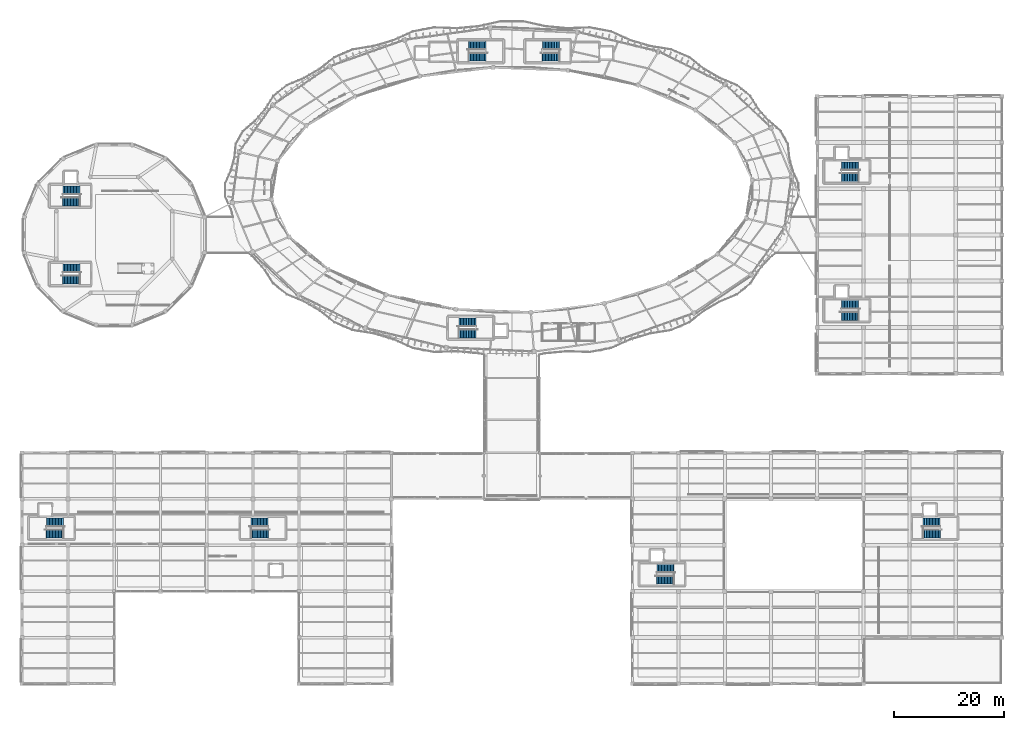
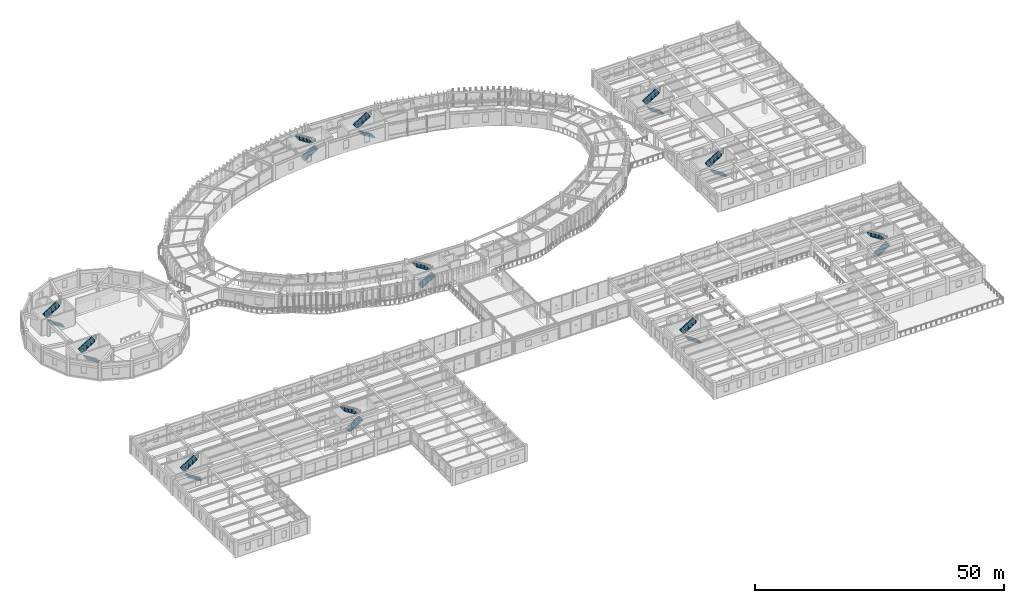
# One storey, part 130 of 152: 22 stair flights, 11 elements without a shape of their own.
"""IFC4 building model written with IfcOpenShell, lengths in metres."""

from ifc_helpers import new_model, si_unit, direction, frame, origin, place, context, subcontext, project, spatial, polyline, outline, extrude, material, type_object, element, aggregate, save


model = new_model("IFC4")

# Units and contexts
model_context = context("Model", 3, precision=1e-05, world=origin(), true_north=direction((0.0, 1.0)))
body_context = subcontext(model_context, "Body", "Model", "MODEL_VIEW")
ifc_project = project(units=[si_unit("LENGTHUNIT", "METRE"), si_unit("AREAUNIT", "SQUARE_METRE"), si_unit("VOLUMEUNIT", "CUBIC_METRE"), si_unit("PLANEANGLEUNIT", "RADIAN"), si_unit("MASSUNIT", "GRAM", prefix="KILO"), si_unit("THERMODYNAMICTEMPERATUREUNIT", "KELVIN"), si_unit("POWERUNIT", "WATT")], contexts=[model_context])

# Site, building, storey
site_placement = place(None, origin())
site = spatial("IfcSite", under=ifc_project, at=site_placement, CompositionType="ELEMENT")
building_placement = place(site_placement, origin())
building = spatial("IfcBuilding", under=site, at=building_placement, Name="Darbajah Civic Hall", CompositionType="ELEMENT")
storey_placement = place(building_placement, frame((0.0, 0.0, 5.39990234375)))
storey = spatial("IfcBuildingStorey", under=building, at=storey_placement, Name="L01", CompositionType="ELEMENT", Elevation=5.39990234375)

# Stair, stair flights
ifc_material_1 = material(Name="Concrete C45/55", Category="concrete")
stair_type = type_object("IfcStairType", Name="Half Turn Stair 1650x4200", PredefinedType="HALF_TURN_STAIR", material=ifc_material_1)
stair_1_placement = place(storey_placement, origin())
stair_1 = element("IfcStair", 1, at=stair_1_placement, inside=storey, type_object=stair_type, Name="L01 enclosed exit stair ST01", PredefinedType="HALF_TURN_STAIR")
ifc_material_2 = material(Name="Precast Concrete C45/55", Category="concrete")
stair_flight_type = type_object("IfcStairFlightType", Name="Stair Flight 12R 280G", PredefinedType="STRAIGHT", material=ifc_material_2)
stair_flight_1_placement = place(storey_placement, frame((81.280029296875, 113.965087890625, 0.0), z_axis=(0.0, 0.0, 1.0), x_axis=(1.0, 0.0, 0.0)))
stair_flight_1 = element("IfcStairFlight", 2, at=stair_flight_1_placement, type_object=stair_flight_type, Name="ST01 L01 lower flight", NumberOfRisers=12, NumberOfTreads=11, PredefinedType="STRAIGHT", RiserHeight=0.175, TreadLength=0.28, context=body_context, shape_type="SweptSolid", body=[
    extrude(outline(polyline([(0.0, 0.0), (0.0, 0.175048828125), (0.280029296875, 0.175048828125), (0.280029296875, 0.35009765625), (0.56005859375, 0.35009765625), (0.56005859375, 0.52490234375), (0.840087890625, 0.52490234375), (0.840087890625, 0.699951171875), (1.1201171875, 0.699951171875), (1.1201171875, 0.875), (1.39990234375, 0.875), (1.39990234375, 1.050048828125), (1.679931640625, 1.050048828125), (1.679931640625, 1.22509765625), (1.9599609375, 1.22509765625), (1.9599609375, 1.39990234375), (2.239990234375, 1.39990234375), (2.239990234375, 1.574951171875), (2.52001953125, 1.574951171875), (2.52001953125, 1.75), (2.800048828125, 1.75), (2.800048828125, 1.925048828125), (3.080078125, 1.925048828125), (3.080078125, 2.10009765625), (3.1201171875, 2.10009765625), (3.1201171875, 1.712890625), (0.37939453125, 0.0), (0.0, 0.0)])), frame((0.0, 0.77490234375, 0.0), z_axis=(0.0, -1.0, 0.0), x_axis=(1.0, 0.0, 0.0)), (0.0, 0.0, 1.0), 1.550048828125),
])
stair_flight_2_placement = place(storey_placement, frame((84.360107421875, 116.034912109375, 2.10009765625), z_axis=(0.0, 0.0, 1.0), x_axis=(-1.0, 0.0, 0.0)))
stair_flight_2 = element("IfcStairFlight", 3, at=stair_flight_2_placement, type_object=stair_flight_type, Name="ST01 L01 upper flight", NumberOfRisers=12, NumberOfTreads=11, PredefinedType="STRAIGHT", RiserHeight=0.175, TreadLength=0.28, context=body_context, shape_type="SweptSolid", body=[
    extrude(outline(polyline([(0.0, 0.0), (0.0, 0.175048828125), (0.280029296875, 0.175048828125), (0.280029296875, 0.35009765625), (0.56005859375, 0.35009765625), (0.56005859375, 0.52490234375), (0.840087890625, 0.52490234375), (0.840087890625, 0.699951171875), (1.1201171875, 0.699951171875), (1.1201171875, 0.875), (1.39990234375, 0.875), (1.39990234375, 1.050048828125), (1.679931640625, 1.050048828125), (1.679931640625, 1.22509765625), (1.9599609375, 1.22509765625), (1.9599609375, 1.39990234375), (2.239990234375, 1.39990234375), (2.239990234375, 1.574951171875), (2.52001953125, 1.574951171875), (2.52001953125, 1.75), (2.800048828125, 1.75), (2.800048828125, 1.925048828125), (3.080078125, 1.925048828125), (3.080078125, 2.10009765625), (3.1201171875, 2.10009765625), (3.1201171875, 1.712890625), (0.37939453125, 0.0), (0.0, 0.0)])), frame((0.0, 0.77490234375, 0.0), z_axis=(0.0, -1.0, 0.0), x_axis=(1.0, 0.0, 0.0)), (0.0, 0.0, 1.0), 1.550048828125),
])
aggregate(stair_1, [stair_flight_1, stair_flight_2])

stair_2_placement = place(storey_placement, origin())
stair_2 = element("IfcStair", 4, at=stair_2_placement, inside=storey, type_object=stair_type, Name="L01 enclosed exit stair ST02", PredefinedType="HALF_TURN_STAIR")
stair_flight_3_placement = place(storey_placement, frame((97.719970703125, 113.965087890625, 0.0), z_axis=(0.0, 0.0, 1.0), x_axis=(-1.0, 0.0, 0.0)))
stair_flight_3 = element("IfcStairFlight", 5, at=stair_flight_3_placement, type_object=stair_flight_type, Name="ST02 L01 lower flight", NumberOfRisers=12, NumberOfTreads=11, PredefinedType="STRAIGHT", RiserHeight=0.175, TreadLength=0.28, context=body_context, shape_type="SweptSolid", body=[
    extrude(outline(polyline([(0.0, 0.0), (0.0, 0.175048828125), (0.280029296875, 0.175048828125), (0.280029296875, 0.35009765625), (0.56005859375, 0.35009765625), (0.56005859375, 0.52490234375), (0.840087890625, 0.52490234375), (0.840087890625, 0.699951171875), (1.1201171875, 0.699951171875), (1.1201171875, 0.875), (1.39990234375, 0.875), (1.39990234375, 1.050048828125), (1.679931640625, 1.050048828125), (1.679931640625, 1.22509765625), (1.9599609375, 1.22509765625), (1.9599609375, 1.39990234375), (2.239990234375, 1.39990234375), (2.239990234375, 1.574951171875), (2.52001953125, 1.574951171875), (2.52001953125, 1.75), (2.800048828125, 1.75), (2.800048828125, 1.925048828125), (3.080078125, 1.925048828125), (3.080078125, 2.10009765625), (3.1201171875, 2.10009765625), (3.1201171875, 1.712890625), (0.37939453125, 0.0), (0.0, 0.0)])), frame((0.0, 0.77490234375, 0.0), z_axis=(0.0, -1.0, 0.0), x_axis=(1.0, 0.0, 0.0)), (0.0, 0.0, 1.0), 1.550048828125),
])
stair_flight_4_placement = place(storey_placement, frame((94.639892578125, 116.034912109375, 2.10009765625), z_axis=(0.0, 0.0, 1.0), x_axis=(1.0, 0.0, 0.0)))
stair_flight_4 = element("IfcStairFlight", 6, at=stair_flight_4_placement, type_object=stair_flight_type, Name="ST02 L01 upper flight", NumberOfRisers=12, NumberOfTreads=11, PredefinedType="STRAIGHT", RiserHeight=0.175, TreadLength=0.28, context=body_context, shape_type="SweptSolid", body=[
    extrude(outline(polyline([(0.0, 0.0), (0.0, 0.175048828125), (0.280029296875, 0.175048828125), (0.280029296875, 0.35009765625), (0.56005859375, 0.35009765625), (0.56005859375, 0.52490234375), (0.840087890625, 0.52490234375), (0.840087890625, 0.699951171875), (1.1201171875, 0.699951171875), (1.1201171875, 0.875), (1.39990234375, 0.875), (1.39990234375, 1.050048828125), (1.679931640625, 1.050048828125), (1.679931640625, 1.22509765625), (1.9599609375, 1.22509765625), (1.9599609375, 1.39990234375), (2.239990234375, 1.39990234375), (2.239990234375, 1.574951171875), (2.52001953125, 1.574951171875), (2.52001953125, 1.75), (2.800048828125, 1.75), (2.800048828125, 1.925048828125), (3.080078125, 1.925048828125), (3.080078125, 2.10009765625), (3.1201171875, 2.10009765625), (3.1201171875, 1.712890625), (0.37939453125, 0.0), (0.0, 0.0)])), frame((0.0, 0.77490234375, 0.0), z_axis=(0.0, -1.0, 0.0), x_axis=(1.0, 0.0, 0.0)), (0.0, 0.0, 1.0), 1.550048828125),
])
aggregate(stair_2, [stair_flight_3, stair_flight_4])

stair_3_placement = place(storey_placement, origin())
stair_3 = element("IfcStair", 7, at=stair_3_placement, inside=storey, type_object=stair_type, Name="L01 enclosed exit stair ST03", PredefinedType="HALF_TURN_STAIR")
stair_flight_5_placement = place(storey_placement, frame((79.47998046875, 63.6650390625, 0.0), z_axis=(0.0, 0.0, 1.0), x_axis=(1.0, 0.0, 0.0)))
stair_flight_5 = element("IfcStairFlight", 8, at=stair_flight_5_placement, type_object=stair_flight_type, Name="ST03 L01 lower flight", NumberOfRisers=12, NumberOfTreads=11, PredefinedType="STRAIGHT", RiserHeight=0.175, TreadLength=0.28, context=body_context, shape_type="SweptSolid", body=[
    extrude(outline(polyline([(0.0, 0.0), (0.0, 0.175048828125), (0.280029296875, 0.175048828125), (0.280029296875, 0.35009765625), (0.56005859375, 0.35009765625), (0.56005859375, 0.52490234375), (0.840087890625, 0.52490234375), (0.840087890625, 0.699951171875), (1.1201171875, 0.699951171875), (1.1201171875, 0.875), (1.39990234375, 0.875), (1.39990234375, 1.050048828125), (1.679931640625, 1.050048828125), (1.679931640625, 1.22509765625), (1.9599609375, 1.22509765625), (1.9599609375, 1.39990234375), (2.239990234375, 1.39990234375), (2.239990234375, 1.574951171875), (2.52001953125, 1.574951171875), (2.52001953125, 1.75), (2.800048828125, 1.75), (2.800048828125, 1.925048828125), (3.080078125, 1.925048828125), (3.080078125, 2.10009765625), (3.1201171875, 2.10009765625), (3.1201171875, 1.712890625), (0.37939453125, 0.0), (0.0, 0.0)])), frame((0.0, 0.77490234375, 0.0), z_axis=(0.0, -1.0, 0.0), x_axis=(1.0, 0.0, 0.0)), (0.0, 0.0, 1.0), 1.550048828125),
])
stair_flight_6_placement = place(storey_placement, frame((82.56005859375, 65.735107421875, 2.10009765625), z_axis=(0.0, 0.0, 1.0), x_axis=(-1.0, 0.0, 0.0)))
stair_flight_6 = element("IfcStairFlight", 9, at=stair_flight_6_placement, type_object=stair_flight_type, Name="ST03 L01 upper flight", NumberOfRisers=12, NumberOfTreads=11, PredefinedType="STRAIGHT", RiserHeight=0.175, TreadLength=0.28, context=body_context, shape_type="SweptSolid", body=[
    extrude(outline(polyline([(0.0, 0.0), (0.0, 0.175048828125), (0.280029296875, 0.175048828125), (0.280029296875, 0.35009765625), (0.56005859375, 0.35009765625), (0.56005859375, 0.52490234375), (0.840087890625, 0.52490234375), (0.840087890625, 0.699951171875), (1.1201171875, 0.699951171875), (1.1201171875, 0.875), (1.39990234375, 0.875), (1.39990234375, 1.050048828125), (1.679931640625, 1.050048828125), (1.679931640625, 1.22509765625), (1.9599609375, 1.22509765625), (1.9599609375, 1.39990234375), (2.239990234375, 1.39990234375), (2.239990234375, 1.574951171875), (2.52001953125, 1.574951171875), (2.52001953125, 1.75), (2.800048828125, 1.75), (2.800048828125, 1.925048828125), (3.080078125, 1.925048828125), (3.080078125, 2.10009765625), (3.1201171875, 2.10009765625), (3.1201171875, 1.712890625), (0.37939453125, 0.0), (0.0, 0.0)])), frame((0.0, 0.77490234375, 0.0), z_axis=(0.0, -1.0, 0.0), x_axis=(1.0, 0.0, 0.0)), (0.0, 0.0, 1.0), 1.550048828125),
])
aggregate(stair_3, [stair_flight_5, stair_flight_6])

stair_4_placement = place(storey_placement, origin())
stair_4 = element("IfcStair", 10, at=stair_4_placement, inside=storey, type_object=stair_type, Name="L01 enclosed exit stair ST04", PredefinedType="HALF_TURN_STAIR")
stair_flight_7_placement = place(storey_placement, frame((10.52001953125, 87.6650390625, 0.0), z_axis=(0.0, 0.0, 1.0), x_axis=(-1.0, 0.0, 0.0)))
stair_flight_7 = element("IfcStairFlight", 11, at=stair_flight_7_placement, type_object=stair_flight_type, Name="ST04 L01 lower flight", NumberOfRisers=12, NumberOfTreads=11, PredefinedType="STRAIGHT", RiserHeight=0.175, TreadLength=0.28, context=body_context, shape_type="SweptSolid", body=[
    extrude(outline(polyline([(0.0, 0.0), (0.0, 0.175048828125), (0.280029296875, 0.175048828125), (0.280029296875, 0.35009765625), (0.56005859375, 0.35009765625), (0.56005859375, 0.52490234375), (0.840087890625, 0.52490234375), (0.840087890625, 0.699951171875), (1.1201171875, 0.699951171875), (1.1201171875, 0.875), (1.39990234375, 0.875), (1.39990234375, 1.050048828125), (1.679931640625, 1.050048828125), (1.679931640625, 1.22509765625), (1.9599609375, 1.22509765625), (1.9599609375, 1.39990234375), (2.239990234375, 1.39990234375), (2.239990234375, 1.574951171875), (2.52001953125, 1.574951171875), (2.52001953125, 1.75), (2.800048828125, 1.75), (2.800048828125, 1.925048828125), (3.080078125, 1.925048828125), (3.080078125, 2.10009765625), (3.1201171875, 2.10009765625), (3.1201171875, 1.712890625), (0.37939453125, 0.0), (0.0, 0.0)])), frame((0.0, 0.77490234375, 0.0), z_axis=(0.0, -1.0, 0.0), x_axis=(1.0, 0.0, 0.0)), (0.0, 0.0, 1.0), 1.550048828125),
])
stair_flight_8_placement = place(storey_placement, frame((7.43994140625, 89.735107421875, 2.10009765625), z_axis=(0.0, 0.0, 1.0), x_axis=(1.0, 0.0, 0.0)))
stair_flight_8 = element("IfcStairFlight", 12, at=stair_flight_8_placement, type_object=stair_flight_type, Name="ST04 L01 upper flight", NumberOfRisers=12, NumberOfTreads=11, PredefinedType="STRAIGHT", RiserHeight=0.175, TreadLength=0.28, context=body_context, shape_type="SweptSolid", body=[
    extrude(outline(polyline([(0.0, 0.0), (0.0, 0.175048828125), (0.280029296875, 0.175048828125), (0.280029296875, 0.35009765625), (0.56005859375, 0.35009765625), (0.56005859375, 0.52490234375), (0.840087890625, 0.52490234375), (0.840087890625, 0.699951171875), (1.1201171875, 0.699951171875), (1.1201171875, 0.875), (1.39990234375, 0.875), (1.39990234375, 1.050048828125), (1.679931640625, 1.050048828125), (1.679931640625, 1.22509765625), (1.9599609375, 1.22509765625), (1.9599609375, 1.39990234375), (2.239990234375, 1.39990234375), (2.239990234375, 1.574951171875), (2.52001953125, 1.574951171875), (2.52001953125, 1.75), (2.800048828125, 1.75), (2.800048828125, 1.925048828125), (3.080078125, 1.925048828125), (3.080078125, 2.10009765625), (3.1201171875, 2.10009765625), (3.1201171875, 1.712890625), (0.37939453125, 0.0), (0.0, 0.0)])), frame((0.0, 0.77490234375, 0.0), z_axis=(0.0, -1.0, 0.0), x_axis=(1.0, 0.0, 0.0)), (0.0, 0.0, 1.0), 1.550048828125),
])
aggregate(stair_4, [stair_flight_7, stair_flight_8])

stair_5_placement = place(storey_placement, origin())
stair_5 = element("IfcStair", 13, at=stair_5_placement, inside=storey, type_object=stair_type, Name="L01 enclosed exit stair ST05", PredefinedType="HALF_TURN_STAIR")
stair_flight_9_placement = place(storey_placement, frame((10.52001953125, 73.465087890625, 0.0), z_axis=(0.0, 0.0, 1.0), x_axis=(-1.0, 0.0, 0.0)))
stair_flight_9 = element("IfcStairFlight", 14, at=stair_flight_9_placement, type_object=stair_flight_type, Name="ST05 L01 lower flight", NumberOfRisers=12, NumberOfTreads=11, PredefinedType="STRAIGHT", RiserHeight=0.175, TreadLength=0.28, context=body_context, shape_type="SweptSolid", body=[
    extrude(outline(polyline([(0.0, 0.0), (0.0, 0.175048828125), (0.280029296875, 0.175048828125), (0.280029296875, 0.35009765625), (0.56005859375, 0.35009765625), (0.56005859375, 0.52490234375), (0.840087890625, 0.52490234375), (0.840087890625, 0.699951171875), (1.1201171875, 0.699951171875), (1.1201171875, 0.875), (1.39990234375, 0.875), (1.39990234375, 1.050048828125), (1.679931640625, 1.050048828125), (1.679931640625, 1.22509765625), (1.9599609375, 1.22509765625), (1.9599609375, 1.39990234375), (2.239990234375, 1.39990234375), (2.239990234375, 1.574951171875), (2.52001953125, 1.574951171875), (2.52001953125, 1.75), (2.800048828125, 1.75), (2.800048828125, 1.925048828125), (3.080078125, 1.925048828125), (3.080078125, 2.10009765625), (3.1201171875, 2.10009765625), (3.1201171875, 1.712890625), (0.37939453125, 0.0), (0.0, 0.0)])), frame((0.0, 0.77490234375, 0.0), z_axis=(0.0, -1.0, 0.0), x_axis=(1.0, 0.0, 0.0)), (0.0, 0.0, 1.0), 1.550048828125),
])
stair_flight_10_placement = place(storey_placement, frame((7.43994140625, 75.534912109375, 2.10009765625), z_axis=(0.0, 0.0, 1.0), x_axis=(1.0, 0.0, 0.0)))
stair_flight_10 = element("IfcStairFlight", 15, at=stair_flight_10_placement, type_object=stair_flight_type, Name="ST05 L01 upper flight", NumberOfRisers=12, NumberOfTreads=11, PredefinedType="STRAIGHT", RiserHeight=0.175, TreadLength=0.28, context=body_context, shape_type="SweptSolid", body=[
    extrude(outline(polyline([(0.0, 0.0), (0.0, 0.175048828125), (0.280029296875, 0.175048828125), (0.280029296875, 0.35009765625), (0.56005859375, 0.35009765625), (0.56005859375, 0.52490234375), (0.840087890625, 0.52490234375), (0.840087890625, 0.699951171875), (1.1201171875, 0.699951171875), (1.1201171875, 0.875), (1.39990234375, 0.875), (1.39990234375, 1.050048828125), (1.679931640625, 1.050048828125), (1.679931640625, 1.22509765625), (1.9599609375, 1.22509765625), (1.9599609375, 1.39990234375), (2.239990234375, 1.39990234375), (2.239990234375, 1.574951171875), (2.52001953125, 1.574951171875), (2.52001953125, 1.75), (2.800048828125, 1.75), (2.800048828125, 1.925048828125), (3.080078125, 1.925048828125), (3.080078125, 2.10009765625), (3.1201171875, 2.10009765625), (3.1201171875, 1.712890625), (0.37939453125, 0.0), (0.0, 0.0)])), frame((0.0, 0.77490234375, 0.0), z_axis=(0.0, -1.0, 0.0), x_axis=(1.0, 0.0, 0.0)), (0.0, 0.0, 1.0), 1.550048828125),
])
aggregate(stair_5, [stair_flight_9, stair_flight_10])

stair_6_placement = place(storey_placement, origin())
stair_6 = element("IfcStair", 16, at=stair_6_placement, inside=storey, type_object=stair_type, Name="L01 enclosed exit stair ST06", PredefinedType="HALF_TURN_STAIR")
stair_flight_11_placement = place(storey_placement, frame((118.52001953125, 18.864990234375, 0.0), z_axis=(0.0, 0.0, 1.0), x_axis=(-1.0, 0.0, 0.0)))
stair_flight_11 = element("IfcStairFlight", 17, at=stair_flight_11_placement, type_object=stair_flight_type, Name="ST06 L01 lower flight", NumberOfRisers=12, NumberOfTreads=11, PredefinedType="STRAIGHT", RiserHeight=0.175, TreadLength=0.28, context=body_context, shape_type="SweptSolid", body=[
    extrude(outline(polyline([(0.0, 0.0), (0.0, 0.175048828125), (0.280029296875, 0.175048828125), (0.280029296875, 0.35009765625), (0.56005859375, 0.35009765625), (0.56005859375, 0.52490234375), (0.840087890625, 0.52490234375), (0.840087890625, 0.699951171875), (1.1201171875, 0.699951171875), (1.1201171875, 0.875), (1.39990234375, 0.875), (1.39990234375, 1.050048828125), (1.679931640625, 1.050048828125), (1.679931640625, 1.22509765625), (1.9599609375, 1.22509765625), (1.9599609375, 1.39990234375), (2.239990234375, 1.39990234375), (2.239990234375, 1.574951171875), (2.52001953125, 1.574951171875), (2.52001953125, 1.75), (2.800048828125, 1.75), (2.800048828125, 1.925048828125), (3.080078125, 1.925048828125), (3.080078125, 2.10009765625), (3.1201171875, 2.10009765625), (3.1201171875, 1.712890625), (0.37939453125, 0.0), (0.0, 0.0)])), frame((0.0, 0.77490234375, 0.0), z_axis=(0.0, -1.0, 0.0), x_axis=(1.0, 0.0, 0.0)), (0.0, 0.0, 1.0), 1.550048828125),
])
stair_flight_12_placement = place(storey_placement, frame((115.43994140625, 20.93505859375, 2.10009765625), z_axis=(0.0, 0.0, 1.0), x_axis=(1.0, 0.0, 0.0)))
stair_flight_12 = element("IfcStairFlight", 18, at=stair_flight_12_placement, type_object=stair_flight_type, Name="ST06 L01 upper flight", NumberOfRisers=12, NumberOfTreads=11, PredefinedType="STRAIGHT", RiserHeight=0.175, TreadLength=0.28, context=body_context, shape_type="SweptSolid", body=[
    extrude(outline(polyline([(0.0, 0.0), (0.0, 0.175048828125), (0.280029296875, 0.175048828125), (0.280029296875, 0.35009765625), (0.56005859375, 0.35009765625), (0.56005859375, 0.52490234375), (0.840087890625, 0.52490234375), (0.840087890625, 0.699951171875), (1.1201171875, 0.699951171875), (1.1201171875, 0.875), (1.39990234375, 0.875), (1.39990234375, 1.050048828125), (1.679931640625, 1.050048828125), (1.679931640625, 1.22509765625), (1.9599609375, 1.22509765625), (1.9599609375, 1.39990234375), (2.239990234375, 1.39990234375), (2.239990234375, 1.574951171875), (2.52001953125, 1.574951171875), (2.52001953125, 1.75), (2.800048828125, 1.75), (2.800048828125, 1.925048828125), (3.080078125, 1.925048828125), (3.080078125, 2.10009765625), (3.1201171875, 2.10009765625), (3.1201171875, 1.712890625), (0.37939453125, 0.0), (0.0, 0.0)])), frame((0.0, 0.77490234375, 0.0), z_axis=(0.0, -1.0, 0.0), x_axis=(1.0, 0.0, 0.0)), (0.0, 0.0, 1.0), 1.550048828125),
])
aggregate(stair_6, [stair_flight_11, stair_flight_12])

stair_7_placement = place(storey_placement, origin())
stair_7 = element("IfcStair", 19, at=stair_7_placement, inside=storey, type_object=stair_type, Name="L01 enclosed exit stair ST07", PredefinedType="HALF_TURN_STAIR")
stair_flight_13_placement = place(storey_placement, frame((163.8798828125, 27.264892578125, 0.0), z_axis=(0.0, 0.0, 1.0), x_axis=(1.0, 0.0, 0.0)))
stair_flight_13 = element("IfcStairFlight", 20, at=stair_flight_13_placement, type_object=stair_flight_type, Name="ST07 L01 lower flight", NumberOfRisers=12, NumberOfTreads=11, PredefinedType="STRAIGHT", RiserHeight=0.175, TreadLength=0.28, context=body_context, shape_type="SweptSolid", body=[
    extrude(outline(polyline([(0.0, 0.0), (0.0, 0.175048828125), (0.280029296875, 0.175048828125), (0.280029296875, 0.35009765625), (0.56005859375, 0.35009765625), (0.56005859375, 0.52490234375), (0.840087890625, 0.52490234375), (0.840087890625, 0.699951171875), (1.1201171875, 0.699951171875), (1.1201171875, 0.875), (1.39990234375, 0.875), (1.39990234375, 1.050048828125), (1.679931640625, 1.050048828125), (1.679931640625, 1.22509765625), (1.9599609375, 1.22509765625), (1.9599609375, 1.39990234375), (2.239990234375, 1.39990234375), (2.239990234375, 1.574951171875), (2.52001953125, 1.574951171875), (2.52001953125, 1.75), (2.800048828125, 1.75), (2.800048828125, 1.925048828125), (3.080078125, 1.925048828125), (3.080078125, 2.10009765625), (3.1201171875, 2.10009765625), (3.1201171875, 1.712890625), (0.37939453125, 0.0), (0.0, 0.0)])), frame((0.0, 0.77490234375, 0.0), z_axis=(0.0, -1.0, 0.0), x_axis=(1.0, 0.0, 0.0)), (0.0, 0.0, 1.0), 1.550048828125),
])
stair_flight_14_placement = place(storey_placement, frame((166.9599609375, 29.3349609375, 2.10009765625), z_axis=(0.0, 0.0, 1.0), x_axis=(-1.0, 0.0, 0.0)))
stair_flight_14 = element("IfcStairFlight", 21, at=stair_flight_14_placement, type_object=stair_flight_type, Name="ST07 L01 upper flight", NumberOfRisers=12, NumberOfTreads=11, PredefinedType="STRAIGHT", RiserHeight=0.175, TreadLength=0.28, context=body_context, shape_type="SweptSolid", body=[
    extrude(outline(polyline([(0.0, 0.0), (0.0, 0.175048828125), (0.280029296875, 0.175048828125), (0.280029296875, 0.35009765625), (0.56005859375, 0.35009765625), (0.56005859375, 0.52490234375), (0.840087890625, 0.52490234375), (0.840087890625, 0.699951171875), (1.1201171875, 0.699951171875), (1.1201171875, 0.875), (1.39990234375, 0.875), (1.39990234375, 1.050048828125), (1.679931640625, 1.050048828125), (1.679931640625, 1.22509765625), (1.9599609375, 1.22509765625), (1.9599609375, 1.39990234375), (2.239990234375, 1.39990234375), (2.239990234375, 1.574951171875), (2.52001953125, 1.574951171875), (2.52001953125, 1.75), (2.800048828125, 1.75), (2.800048828125, 1.925048828125), (3.080078125, 1.925048828125), (3.080078125, 2.10009765625), (3.1201171875, 2.10009765625), (3.1201171875, 1.712890625), (0.37939453125, 0.0), (0.0, 0.0)])), frame((0.0, 0.77490234375, 0.0), z_axis=(0.0, -1.0, 0.0), x_axis=(1.0, 0.0, 0.0)), (0.0, 0.0, 1.0), 1.550048828125),
])
aggregate(stair_7, [stair_flight_13, stair_flight_14])

stair_8_placement = place(storey_placement, origin())
stair_8 = element("IfcStair", 22, at=stair_8_placement, inside=storey, type_object=stair_type, Name="L01 enclosed exit stair ST08", PredefinedType="HALF_TURN_STAIR")
stair_flight_15_placement = place(storey_placement, frame((152.1201171875, 92.06494140625, 0.0), z_axis=(0.0, 0.0, 1.0), x_axis=(-1.0, 0.0, 0.0)))
stair_flight_15 = element("IfcStairFlight", 23, at=stair_flight_15_placement, type_object=stair_flight_type, Name="ST08 L01 lower flight", NumberOfRisers=12, NumberOfTreads=11, PredefinedType="STRAIGHT", RiserHeight=0.175, TreadLength=0.28, context=body_context, shape_type="SweptSolid", body=[
    extrude(outline(polyline([(0.0, 0.0), (0.0, 0.175048828125), (0.280029296875, 0.175048828125), (0.280029296875, 0.35009765625), (0.56005859375, 0.35009765625), (0.56005859375, 0.52490234375), (0.840087890625, 0.52490234375), (0.840087890625, 0.699951171875), (1.1201171875, 0.699951171875), (1.1201171875, 0.875), (1.39990234375, 0.875), (1.39990234375, 1.050048828125), (1.679931640625, 1.050048828125), (1.679931640625, 1.22509765625), (1.9599609375, 1.22509765625), (1.9599609375, 1.39990234375), (2.239990234375, 1.39990234375), (2.239990234375, 1.574951171875), (2.52001953125, 1.574951171875), (2.52001953125, 1.75), (2.800048828125, 1.75), (2.800048828125, 1.925048828125), (3.080078125, 1.925048828125), (3.080078125, 2.10009765625), (3.1201171875, 2.10009765625), (3.1201171875, 1.712890625), (0.37939453125, 0.0), (0.0, 0.0)])), frame((0.0, 0.77490234375, 0.0), z_axis=(0.0, -1.0, 0.0), x_axis=(1.0, 0.0, 0.0)), (0.0, 0.0, 1.0), 1.550048828125),
])
stair_flight_16_placement = place(storey_placement, frame((149.0400390625, 94.135009765625, 2.10009765625), z_axis=(0.0, 0.0, 1.0), x_axis=(1.0, 0.0, 0.0)))
stair_flight_16 = element("IfcStairFlight", 24, at=stair_flight_16_placement, type_object=stair_flight_type, Name="ST08 L01 upper flight", NumberOfRisers=12, NumberOfTreads=11, PredefinedType="STRAIGHT", RiserHeight=0.175, TreadLength=0.28, context=body_context, shape_type="SweptSolid", body=[
    extrude(outline(polyline([(0.0, 0.0), (0.0, 0.175048828125), (0.280029296875, 0.175048828125), (0.280029296875, 0.35009765625), (0.56005859375, 0.35009765625), (0.56005859375, 0.52490234375), (0.840087890625, 0.52490234375), (0.840087890625, 0.699951171875), (1.1201171875, 0.699951171875), (1.1201171875, 0.875), (1.39990234375, 0.875), (1.39990234375, 1.050048828125), (1.679931640625, 1.050048828125), (1.679931640625, 1.22509765625), (1.9599609375, 1.22509765625), (1.9599609375, 1.39990234375), (2.239990234375, 1.39990234375), (2.239990234375, 1.574951171875), (2.52001953125, 1.574951171875), (2.52001953125, 1.75), (2.800048828125, 1.75), (2.800048828125, 1.925048828125), (3.080078125, 1.925048828125), (3.080078125, 2.10009765625), (3.1201171875, 2.10009765625), (3.1201171875, 1.712890625), (0.37939453125, 0.0), (0.0, 0.0)])), frame((0.0, 0.77490234375, 0.0), z_axis=(0.0, -1.0, 0.0), x_axis=(1.0, 0.0, 0.0)), (0.0, 0.0, 1.0), 1.550048828125),
])
aggregate(stair_8, [stair_flight_15, stair_flight_16])

stair_9_placement = place(storey_placement, origin())
stair_9 = element("IfcStair", 25, at=stair_9_placement, inside=storey, type_object=stair_type, Name="L01 enclosed exit stair ST09", PredefinedType="HALF_TURN_STAIR")
stair_flight_17_placement = place(storey_placement, frame((152.1201171875, 66.864990234375, 0.0), z_axis=(0.0, 0.0, 1.0), x_axis=(-1.0, 0.0, 0.0)))
stair_flight_17 = element("IfcStairFlight", 26, at=stair_flight_17_placement, type_object=stair_flight_type, Name="ST09 L01 lower flight", NumberOfRisers=12, NumberOfTreads=11, PredefinedType="STRAIGHT", RiserHeight=0.175, TreadLength=0.28, context=body_context, shape_type="SweptSolid", body=[
    extrude(outline(polyline([(0.0, 0.0), (0.0, 0.175048828125), (0.280029296875, 0.175048828125), (0.280029296875, 0.35009765625), (0.56005859375, 0.35009765625), (0.56005859375, 0.52490234375), (0.840087890625, 0.52490234375), (0.840087890625, 0.699951171875), (1.1201171875, 0.699951171875), (1.1201171875, 0.875), (1.39990234375, 0.875), (1.39990234375, 1.050048828125), (1.679931640625, 1.050048828125), (1.679931640625, 1.22509765625), (1.9599609375, 1.22509765625), (1.9599609375, 1.39990234375), (2.239990234375, 1.39990234375), (2.239990234375, 1.574951171875), (2.52001953125, 1.574951171875), (2.52001953125, 1.75), (2.800048828125, 1.75), (2.800048828125, 1.925048828125), (3.080078125, 1.925048828125), (3.080078125, 2.10009765625), (3.1201171875, 2.10009765625), (3.1201171875, 1.712890625), (0.37939453125, 0.0), (0.0, 0.0)])), frame((0.0, 0.77490234375, 0.0), z_axis=(0.0, -1.0, 0.0), x_axis=(1.0, 0.0, 0.0)), (0.0, 0.0, 1.0), 1.550048828125),
])
stair_flight_18_placement = place(storey_placement, frame((149.0400390625, 68.93505859375, 2.10009765625), z_axis=(0.0, 0.0, 1.0), x_axis=(1.0, 0.0, 0.0)))
stair_flight_18 = element("IfcStairFlight", 27, at=stair_flight_18_placement, type_object=stair_flight_type, Name="ST09 L01 upper flight", NumberOfRisers=12, NumberOfTreads=11, PredefinedType="STRAIGHT", RiserHeight=0.175, TreadLength=0.28, context=body_context, shape_type="SweptSolid", body=[
    extrude(outline(polyline([(0.0, 0.0), (0.0, 0.175048828125), (0.280029296875, 0.175048828125), (0.280029296875, 0.35009765625), (0.56005859375, 0.35009765625), (0.56005859375, 0.52490234375), (0.840087890625, 0.52490234375), (0.840087890625, 0.699951171875), (1.1201171875, 0.699951171875), (1.1201171875, 0.875), (1.39990234375, 0.875), (1.39990234375, 1.050048828125), (1.679931640625, 1.050048828125), (1.679931640625, 1.22509765625), (1.9599609375, 1.22509765625), (1.9599609375, 1.39990234375), (2.239990234375, 1.39990234375), (2.239990234375, 1.574951171875), (2.52001953125, 1.574951171875), (2.52001953125, 1.75), (2.800048828125, 1.75), (2.800048828125, 1.925048828125), (3.080078125, 1.925048828125), (3.080078125, 2.10009765625), (3.1201171875, 2.10009765625), (3.1201171875, 1.712890625), (0.37939453125, 0.0), (0.0, 0.0)])), frame((0.0, 0.77490234375, 0.0), z_axis=(0.0, -1.0, 0.0), x_axis=(1.0, 0.0, 0.0)), (0.0, 0.0, 1.0), 1.550048828125),
])
aggregate(stair_9, [stair_flight_17, stair_flight_18])

stair_10_placement = place(storey_placement, origin())
stair_10 = element("IfcStair", 28, at=stair_10_placement, inside=storey, type_object=stair_type, Name="L01 enclosed exit stair ST10", PredefinedType="HALF_TURN_STAIR")
stair_flight_19_placement = place(storey_placement, frame((7.52001953125, 27.264892578125, 0.0), z_axis=(0.0, 0.0, 1.0), x_axis=(-1.0, 0.0, 0.0)))
stair_flight_19 = element("IfcStairFlight", 29, at=stair_flight_19_placement, type_object=stair_flight_type, Name="ST10 L01 lower flight", NumberOfRisers=12, NumberOfTreads=11, PredefinedType="STRAIGHT", RiserHeight=0.175, TreadLength=0.28, context=body_context, shape_type="SweptSolid", body=[
    extrude(outline(polyline([(0.0, 0.0), (0.0, 0.175048828125), (0.280029296875, 0.175048828125), (0.280029296875, 0.35009765625), (0.56005859375, 0.35009765625), (0.56005859375, 0.52490234375), (0.840087890625, 0.52490234375), (0.840087890625, 0.699951171875), (1.1201171875, 0.699951171875), (1.1201171875, 0.875), (1.39990234375, 0.875), (1.39990234375, 1.050048828125), (1.679931640625, 1.050048828125), (1.679931640625, 1.22509765625), (1.9599609375, 1.22509765625), (1.9599609375, 1.39990234375), (2.239990234375, 1.39990234375), (2.239990234375, 1.574951171875), (2.52001953125, 1.574951171875), (2.52001953125, 1.75), (2.800048828125, 1.75), (2.800048828125, 1.925048828125), (3.080078125, 1.925048828125), (3.080078125, 2.10009765625), (3.1201171875, 2.10009765625), (3.1201171875, 1.712890625), (0.37939453125, 0.0), (0.0, 0.0)])), frame((0.0, 0.77490234375, 0.0), z_axis=(0.0, -1.0, 0.0), x_axis=(1.0, 0.0, 0.0)), (0.0, 0.0, 1.0), 1.550048828125),
])
stair_flight_20_placement = place(storey_placement, frame((4.43994140625, 29.3349609375, 2.10009765625), z_axis=(0.0, 0.0, 1.0), x_axis=(1.0, 0.0, 0.0)))
stair_flight_20 = element("IfcStairFlight", 30, at=stair_flight_20_placement, type_object=stair_flight_type, Name="ST10 L01 upper flight", NumberOfRisers=12, NumberOfTreads=11, PredefinedType="STRAIGHT", RiserHeight=0.175, TreadLength=0.28, context=body_context, shape_type="SweptSolid", body=[
    extrude(outline(polyline([(0.0, 0.0), (0.0, 0.175048828125), (0.280029296875, 0.175048828125), (0.280029296875, 0.35009765625), (0.56005859375, 0.35009765625), (0.56005859375, 0.52490234375), (0.840087890625, 0.52490234375), (0.840087890625, 0.699951171875), (1.1201171875, 0.699951171875), (1.1201171875, 0.875), (1.39990234375, 0.875), (1.39990234375, 1.050048828125), (1.679931640625, 1.050048828125), (1.679931640625, 1.22509765625), (1.9599609375, 1.22509765625), (1.9599609375, 1.39990234375), (2.239990234375, 1.39990234375), (2.239990234375, 1.574951171875), (2.52001953125, 1.574951171875), (2.52001953125, 1.75), (2.800048828125, 1.75), (2.800048828125, 1.925048828125), (3.080078125, 1.925048828125), (3.080078125, 2.10009765625), (3.1201171875, 2.10009765625), (3.1201171875, 1.712890625), (0.37939453125, 0.0), (0.0, 0.0)])), frame((0.0, 0.77490234375, 0.0), z_axis=(0.0, -1.0, 0.0), x_axis=(1.0, 0.0, 0.0)), (0.0, 0.0, 1.0), 1.550048828125),
])
aggregate(stair_10, [stair_flight_19, stair_flight_20])

stair_11_placement = place(storey_placement, origin())
stair_11 = element("IfcStair", 31, at=stair_11_placement, inside=storey, type_object=stair_type, Name="L01 enclosed exit stair ST11", PredefinedType="HALF_TURN_STAIR")
stair_flight_21_placement = place(storey_placement, frame((41.679931640625, 27.264892578125, 0.0), z_axis=(0.0, 0.0, 1.0), x_axis=(1.0, 0.0, 0.0)))
stair_flight_21 = element("IfcStairFlight", 32, at=stair_flight_21_placement, type_object=stair_flight_type, Name="ST11 L01 lower flight", NumberOfRisers=12, NumberOfTreads=11, PredefinedType="STRAIGHT", RiserHeight=0.175, TreadLength=0.28, context=body_context, shape_type="SweptSolid", body=[
    extrude(outline(polyline([(0.0, 0.0), (0.0, 0.175048828125), (0.280029296875, 0.175048828125), (0.280029296875, 0.35009765625), (0.56005859375, 0.35009765625), (0.56005859375, 0.52490234375), (0.840087890625, 0.52490234375), (0.840087890625, 0.699951171875), (1.1201171875, 0.699951171875), (1.1201171875, 0.875), (1.39990234375, 0.875), (1.39990234375, 1.050048828125), (1.679931640625, 1.050048828125), (1.679931640625, 1.22509765625), (1.9599609375, 1.22509765625), (1.9599609375, 1.39990234375), (2.239990234375, 1.39990234375), (2.239990234375, 1.574951171875), (2.52001953125, 1.574951171875), (2.52001953125, 1.75), (2.800048828125, 1.75), (2.800048828125, 1.925048828125), (3.080078125, 1.925048828125), (3.080078125, 2.10009765625), (3.1201171875, 2.10009765625), (3.1201171875, 1.712890625), (0.37939453125, 0.0), (0.0, 0.0)])), frame((0.0, 0.77490234375, 0.0), z_axis=(0.0, -1.0, 0.0), x_axis=(1.0, 0.0, 0.0)), (0.0, 0.0, 1.0), 1.550048828125),
])
stair_flight_22_placement = place(storey_placement, frame((44.760009765625, 29.3349609375, 2.10009765625), z_axis=(0.0, 0.0, 1.0), x_axis=(-1.0, 0.0, 0.0)))
stair_flight_22 = element("IfcStairFlight", 33, at=stair_flight_22_placement, type_object=stair_flight_type, Name="ST11 L01 upper flight", NumberOfRisers=12, NumberOfTreads=11, PredefinedType="STRAIGHT", RiserHeight=0.175, TreadLength=0.28, context=body_context, shape_type="SweptSolid", body=[
    extrude(outline(polyline([(0.0, 0.0), (0.0, 0.175048828125), (0.280029296875, 0.175048828125), (0.280029296875, 0.35009765625), (0.56005859375, 0.35009765625), (0.56005859375, 0.52490234375), (0.840087890625, 0.52490234375), (0.840087890625, 0.699951171875), (1.1201171875, 0.699951171875), (1.1201171875, 0.875), (1.39990234375, 0.875), (1.39990234375, 1.050048828125), (1.679931640625, 1.050048828125), (1.679931640625, 1.22509765625), (1.9599609375, 1.22509765625), (1.9599609375, 1.39990234375), (2.239990234375, 1.39990234375), (2.239990234375, 1.574951171875), (2.52001953125, 1.574951171875), (2.52001953125, 1.75), (2.800048828125, 1.75), (2.800048828125, 1.925048828125), (3.080078125, 1.925048828125), (3.080078125, 2.10009765625), (3.1201171875, 2.10009765625), (3.1201171875, 1.712890625), (0.37939453125, 0.0), (0.0, 0.0)])), frame((0.0, 0.77490234375, 0.0), z_axis=(0.0, -1.0, 0.0), x_axis=(1.0, 0.0, 0.0)), (0.0, 0.0, 1.0), 1.550048828125),
])
aggregate(stair_11, [stair_flight_21, stair_flight_22])

save(model, "model.ifc")
